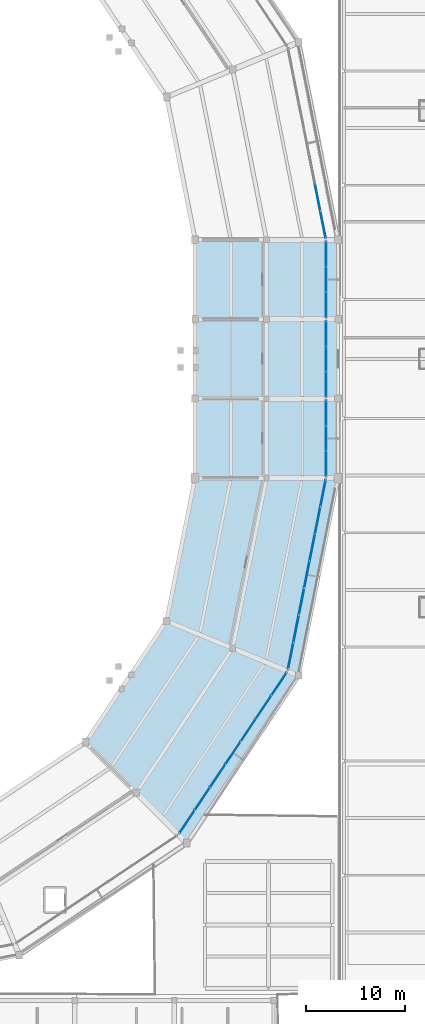
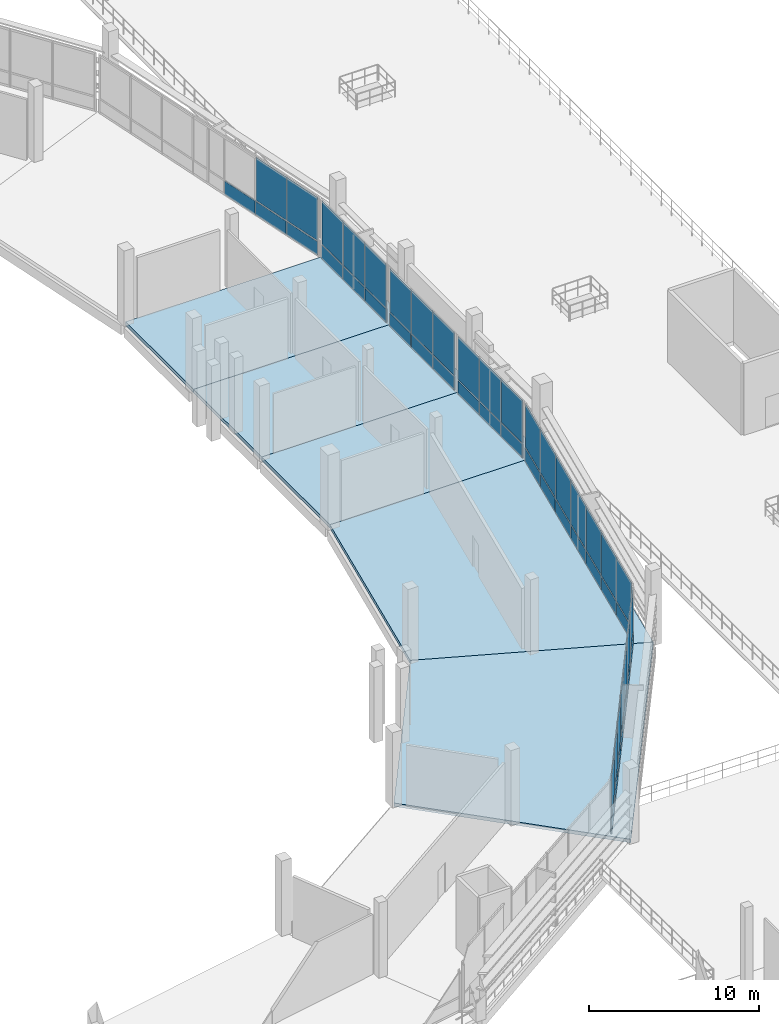
# One storey, part 64 of 111: 51 plates, 5 slabs, 6 elements without a shape of their own.
"""IFC4 building model written with IfcOpenShell, lengths in metres."""

from ifc_helpers import new_model, si_unit, direction, frame, origin, origin_2d, place, context, subcontext, project, spatial, polyline, rectangle, outline, extrude, material, layer, layer_set, type_object, element, aggregate, save


model = new_model("IFC4")

# Units and contexts
model_context = context("Model", 3, precision=1e-05, world=origin(), true_north=direction((0.0, 1.0)))
body_context = subcontext(model_context, "Body", "Model", "MODEL_VIEW")
ifc_project = project(units=[si_unit("LENGTHUNIT", "METRE"), si_unit("AREAUNIT", "SQUARE_METRE"), si_unit("VOLUMEUNIT", "CUBIC_METRE"), si_unit("PLANEANGLEUNIT", "RADIAN"), si_unit("MASSUNIT", "GRAM", prefix="KILO")], contexts=[model_context])

# Site, building, storey
site_placement = place(None, origin())
site = spatial("IfcSite", under=ifc_project, at=site_placement, CompositionType="ELEMENT")
building_placement = place(site_placement, origin())
building = spatial("IfcBuilding", under=site, at=building_placement, Name="Candeia Ridge Stadium", CompositionType="ELEMENT")
storey_placement = place(building_placement, frame((0.0, 0.0, 16.199951171875)))
storey = spatial("IfcBuildingStorey", under=building, at=storey_placement, Name="L03", CompositionType="ELEMENT", Elevation=16.199951171875)

# Slabs
ifc_material_1 = material(Name="Concrete C40/50", Category="concrete")
ifc_layer_1 = layer(ifc_material_1, 0.25, Name="Concrete C40/50", Category="concrete")
ifc_layer_set_1 = layer_set([ifc_layer_1], Name="Concrete C40/50")
slab_type = type_object("IfcSlabType", Name="Hospitality & Museum Slab 250", PredefinedType="FLOOR", material=ifc_layer_set_1)
slab_1_placement = place(storey_placement, frame((0.0, 0.0, -0.25)))
element("IfcSlab", 1, at=slab_1_placement, inside=storey, type_object=slab_type, Name="Bowl concourse sector slab L03 bay 28 SLB-L03-0136", PredefinedType="FLOOR", context=body_context, shape_type="SweptSolid", body=[
    extrude(outline(polyline([(175.73779296875, 56.611083984375), (189.041748046875, 51.1005859375), (177.791748046875, 34.263671875), (167.609375, 44.446044921875), (175.73779296875, 56.611083984375)])), origin(), (0.0, 0.0, 1.0), 0.25),
])
slab_2_placement = place(storey_placement, frame((0.0, 0.0, -0.25)))
element("IfcSlab", 2, at=slab_2_placement, inside=storey, type_object=slab_type, Name="Bowl concourse sector slab L03 bay 29 SLB-L03-0137", PredefinedType="FLOOR", context=body_context, shape_type="SweptSolid", body=[
    extrude(outline(polyline([(178.60009765625, 71.0), (193.0, 71.0), (189.041748046875, 51.1005859375), (175.73779296875, 56.611083984375), (178.60009765625, 71.0)])), origin(), (0.0, 0.0, 1.0), 0.25),
])
slab_3_placement = place(storey_placement, frame((0.0, 0.0, -0.25)))
element("IfcSlab", 3, at=slab_3_placement, inside=storey, type_object=slab_type, Name="Bowl concourse sector slab L03 bay 30 SLB-L03-0138", PredefinedType="FLOOR", context=body_context, shape_type="SweptSolid", body=[
    extrude(outline(polyline([(178.60009765625, 79.0), (193.0, 79.0), (193.0, 71.0), (178.60009765625, 71.0), (178.60009765625, 79.0)])), origin(), (0.0, 0.0, 1.0), 0.25),
])
slab_4_placement = place(storey_placement, frame((0.0, 0.0, -0.25)))
element("IfcSlab", 4, at=slab_4_placement, inside=storey, type_object=slab_type, Name="Bowl concourse sector slab L03 bay 31 SLB-L03-0139", PredefinedType="FLOOR", context=body_context, shape_type="SweptSolid", body=[
    extrude(outline(polyline([(178.60009765625, 87.0), (193.0, 87.0), (193.0, 79.0), (178.60009765625, 79.0), (178.60009765625, 87.0)])), origin(), (0.0, 0.0, 1.0), 0.25),
])
slab_5_placement = place(storey_placement, frame((0.0, 0.0, -0.25)))
element("IfcSlab", 5, at=slab_5_placement, inside=storey, type_object=slab_type, Name="Bowl concourse sector slab L03 bay 32 SLB-L03-0140", PredefinedType="FLOOR", context=body_context, shape_type="SweptSolid", body=[
    extrude(outline(polyline([(178.60009765625, 95.0), (193.0, 95.0), (193.0, 87.0), (178.60009765625, 87.0), (178.60009765625, 95.0)])), origin(), (0.0, 0.0, 1.0), 0.25),
])

# Curtain wall, plates
ifc_material_2 = material(Name="Aluminium Anodized Warm Bronze", Category="aluminium")
curtain_wall_type = type_object("IfcCurtainWallType", Name="Concourse Recessed Unitised Curtain Wall", PredefinedType="NOTDEFINED", material=ifc_material_2)
curtain_wall_1_placement = place(storey_placement, origin())
curtain_wall_1 = element("IfcCurtainWall", 6, at=curtain_wall_1_placement, inside=storey, type_object=curtain_wall_type, Name="Unitised curtain wall CW-BWL-L03-29", PredefinedType="NOTDEFINED")
ifc_material_3 = material(Name="Aluminium Insulated Spandrel", Category="aluminium")
ifc_layer_2 = layer(ifc_material_3, 0.06494140625, Name="Aluminium Insulated Spandrel", Category="aluminium")
ifc_layer_set_2 = layer_set([ifc_layer_2], Name="Aluminium Insulated Spandrel")
plate_type_1 = type_object("IfcPlateType", Name="Insulated Bronze Spandrel Panel SP1", PredefinedType="CURTAIN_PANEL", material=ifc_layer_set_2)
plate_1_placement = place(storey_placement, frame((191.800048828125, 72.453369140625, 0.0400390625), z_axis=(0.0, 0.0, 1.0), x_axis=(0.0, 1.0, 0.0)))
plate_1 = element("IfcPlate", 7, at=plate_1_placement, type_object=plate_type_1, Name="Curtain wall spandrel panel CW-BWL-L03-29-SP0", PredefinedType="CURTAIN_PANEL", context=body_context, shape_type="SweptSolid", body=[
    extrude(rectangle(XDim=2.476806640625, YDim=0.06494140625, at=origin_2d()), origin(), (0.0, 0.0, 1.0), 0.97119140625),
])
plate_2_placement = place(storey_placement, frame((191.800048828125, 75.0, 0.0400390625), z_axis=(0.0, 0.0, 1.0), x_axis=(0.0, 1.0, 0.0)))
plate_2 = element("IfcPlate", 8, at=plate_2_placement, type_object=plate_type_1, Name="Curtain wall spandrel panel CW-BWL-L03-29-SP1", PredefinedType="CURTAIN_PANEL", context=body_context, shape_type="SweptSolid", body=[
    extrude(rectangle(XDim=2.476806640625, YDim=0.06494140625, at=origin_2d()), origin(), (0.0, 0.0, 1.0), 0.97119140625),
])
plate_3_placement = place(storey_placement, frame((191.800048828125, 77.546630859375, 0.0400390625), z_axis=(0.0, 0.0, 1.0), x_axis=(0.0, 1.0, 0.0)))
plate_3 = element("IfcPlate", 9, at=plate_3_placement, type_object=plate_type_1, Name="Curtain wall spandrel panel CW-BWL-L03-29-SP2", PredefinedType="CURTAIN_PANEL", context=body_context, shape_type="SweptSolid", body=[
    extrude(rectangle(XDim=2.476806640625, YDim=0.06494140625, at=origin_2d()), origin(), (0.0, 0.0, 1.0), 0.97119140625),
])

curtain_wall_2_placement = place(storey_placement, origin())
curtain_wall_2 = element("IfcCurtainWall", 10, at=curtain_wall_2_placement, inside=storey, type_object=curtain_wall_type, Name="Unitised curtain wall CW-BWL-L03-30", PredefinedType="NOTDEFINED")
ifc_layer_3 = layer(ifc_material_3, 0.06494140625, Name="Aluminium Insulated Spandrel", Category="aluminium")
ifc_layer_set_3 = layer_set([ifc_layer_3], Name="Aluminium Insulated Spandrel")
plate_type_2 = type_object("IfcPlateType", Name="Insulated Bronze Spandrel Panel SP2", PredefinedType="CURTAIN_PANEL", material=ifc_layer_set_3)
plate_4_placement = place(storey_placement, frame((191.800048828125, 80.453369140625, 0.0400390625), z_axis=(0.0, 0.0, 1.0), x_axis=(0.0, 1.0, 0.0)))
plate_4 = element("IfcPlate", 11, at=plate_4_placement, type_object=plate_type_2, Name="Curtain wall spandrel panel CW-BWL-L03-30-SP0", PredefinedType="CURTAIN_PANEL", context=body_context, shape_type="SweptSolid", body=[
    extrude(rectangle(XDim=2.476806640625, YDim=0.06494140625, at=origin_2d()), origin(), (0.0, 0.0, 1.0), 0.97119140625),
])
plate_5_placement = place(storey_placement, frame((191.800048828125, 83.0, 0.0400390625), z_axis=(0.0, 0.0, 1.0), x_axis=(0.0, 1.0, 0.0)))
plate_5 = element("IfcPlate", 12, at=plate_5_placement, type_object=plate_type_2, Name="Curtain wall spandrel panel CW-BWL-L03-30-SP1", PredefinedType="CURTAIN_PANEL", context=body_context, shape_type="SweptSolid", body=[
    extrude(rectangle(XDim=2.476806640625, YDim=0.06494140625, at=origin_2d()), origin(), (0.0, 0.0, 1.0), 0.97119140625),
])
plate_6_placement = place(storey_placement, frame((191.800048828125, 85.546630859375, 0.0400390625), z_axis=(0.0, 0.0, 1.0), x_axis=(0.0, 1.0, 0.0)))
plate_6 = element("IfcPlate", 13, at=plate_6_placement, type_object=plate_type_2, Name="Curtain wall spandrel panel CW-BWL-L03-30-SP2", PredefinedType="CURTAIN_PANEL", context=body_context, shape_type="SweptSolid", body=[
    extrude(rectangle(XDim=2.476806640625, YDim=0.06494140625, at=origin_2d()), origin(), (0.0, 0.0, 1.0), 0.97119140625),
])

curtain_wall_3_placement = place(storey_placement, origin())
curtain_wall_3 = element("IfcCurtainWall", 14, at=curtain_wall_3_placement, inside=storey, type_object=curtain_wall_type, Name="Unitised curtain wall CW-BWL-L03-27", PredefinedType="NOTDEFINED")
ifc_layer_4 = layer(ifc_material_3, 0.06494140625, Name="Aluminium Insulated Spandrel", Category="aluminium")
ifc_layer_set_4 = layer_set([ifc_layer_4], Name="Aluminium Insulated Spandrel")
plate_type_3 = type_object("IfcPlateType", Name="Insulated Bronze Spandrel Panel SP4", PredefinedType="CURTAIN_PANEL", material=ifc_layer_set_4)
plate_7_placement = place(storey_placement, frame((177.793212890625, 36.384521484375, 0.0400390625), z_axis=(0.0, 0.0, 1.0), x_axis=(0.555571447533, 0.831468800789, 0.0)))
plate_7 = element("IfcPlate", 15, at=plate_7_placement, type_object=plate_type_3, Name="Curtain wall spandrel panel CW-BWL-L03-27-SP0", PredefinedType="CURTAIN_PANEL", context=body_context, shape_type="SweptSolid", body=[
    extrude(rectangle(XDim=2.710205078125, YDim=0.06494140625, at=origin_2d()), origin(), (0.0, 0.0, 1.0), 0.97119140625),
])
plate_8_placement = place(storey_placement, frame((179.337890625, 38.696044921875, 0.0400390625), z_axis=(0.0, 0.0, 1.0), x_axis=(0.555571447533, 0.831468800789, 0.0)))
plate_8 = element("IfcPlate", 16, at=plate_8_placement, type_object=plate_type_3, Name="Curtain wall spandrel panel CW-BWL-L03-27-SP1", PredefinedType="CURTAIN_PANEL", context=body_context, shape_type="SweptSolid", body=[
    extrude(rectangle(XDim=2.710205078125, YDim=0.06494140625, at=origin_2d()), origin(), (0.0, 0.0, 1.0), 0.97119140625),
])
plate_9_placement = place(storey_placement, frame((180.882568359375, 41.0078125, 0.0400390625), z_axis=(0.0, 0.0, 1.0), x_axis=(0.555571447533, 0.831468800789, 0.0)))
plate_9 = element("IfcPlate", 17, at=plate_9_placement, type_object=plate_type_3, Name="Curtain wall spandrel panel CW-BWL-L03-27-SP2", PredefinedType="CURTAIN_PANEL", context=body_context, shape_type="SweptSolid", body=[
    extrude(rectangle(XDim=2.710205078125, YDim=0.06494140625, at=origin_2d()), origin(), (0.0, 0.0, 1.0), 0.97119140625),
])
plate_10_placement = place(storey_placement, frame((182.427001953125, 43.3193359375, 0.0400390625), z_axis=(0.0, 0.0, 1.0), x_axis=(0.555571447533, 0.831468800789, 0.0)))
plate_10 = element("IfcPlate", 18, at=plate_10_placement, type_object=plate_type_3, Name="Curtain wall spandrel panel CW-BWL-L03-27-SP3", PredefinedType="CURTAIN_PANEL", context=body_context, shape_type="SweptSolid", body=[
    extrude(rectangle(XDim=2.710205078125, YDim=0.06494140625, at=origin_2d()), origin(), (0.0, 0.0, 1.0), 0.97119140625),
])
plate_11_placement = place(storey_placement, frame((183.9716796875, 45.630859375, 0.0400390625), z_axis=(0.0, 0.0, 1.0), x_axis=(0.555571447533, 0.831468800789, 0.0)))
plate_11 = element("IfcPlate", 19, at=plate_11_placement, type_object=plate_type_3, Name="Curtain wall spandrel panel CW-BWL-L03-27-SP4", PredefinedType="CURTAIN_PANEL", context=body_context, shape_type="SweptSolid", body=[
    extrude(rectangle(XDim=2.710205078125, YDim=0.06494140625, at=origin_2d()), origin(), (0.0, 0.0, 1.0), 0.97119140625),
])
plate_12_placement = place(storey_placement, frame((185.51611328125, 47.942626953125, 0.0400390625), z_axis=(0.0, 0.0, 1.0), x_axis=(0.555571447533, 0.831468800789, 0.0)))
plate_12 = element("IfcPlate", 20, at=plate_12_placement, type_object=plate_type_3, Name="Curtain wall spandrel panel CW-BWL-L03-27-SP5", PredefinedType="CURTAIN_PANEL", context=body_context, shape_type="SweptSolid", body=[
    extrude(rectangle(XDim=2.710205078125, YDim=0.06494140625, at=origin_2d()), origin(), (0.0, 0.0, 1.0), 0.97119140625),
])
plate_13_placement = place(storey_placement, frame((187.060791015625, 50.254150390625, 0.0400390625), z_axis=(0.0, 0.0, 1.0), x_axis=(0.555571447533, 0.831468800789, 0.0)))
plate_13 = element("IfcPlate", 21, at=plate_13_placement, type_object=plate_type_3, Name="Curtain wall spandrel panel CW-BWL-L03-27-SP6", PredefinedType="CURTAIN_PANEL", context=body_context, shape_type="SweptSolid", body=[
    extrude(rectangle(XDim=2.710205078125, YDim=0.06494140625, at=origin_2d()), origin(), (0.0, 0.0, 1.0), 0.97119140625),
])

curtain_wall_4_placement = place(storey_placement, origin())
curtain_wall_4 = element("IfcCurtainWall", 22, at=curtain_wall_4_placement, inside=storey, type_object=curtain_wall_type, Name="Unitised curtain wall CW-BWL-L03-31", PredefinedType="NOTDEFINED")
plate_14_placement = place(storey_placement, frame((191.800048828125, 88.453369140625, 0.0400390625), z_axis=(0.0, 0.0, 1.0), x_axis=(0.0, 1.0, 0.0)))
plate_14 = element("IfcPlate", 23, at=plate_14_placement, type_object=plate_type_3, Name="Curtain wall spandrel panel CW-BWL-L03-31-SP0", PredefinedType="CURTAIN_PANEL", context=body_context, shape_type="SweptSolid", body=[
    extrude(rectangle(XDim=2.476806640625, YDim=0.06494140625, at=origin_2d()), origin(), (0.0, 0.0, 1.0), 0.981201171875),
])
plate_15_placement = place(storey_placement, frame((191.800048828125, 91.0, 0.0400390625), z_axis=(0.0, 0.0, 1.0), x_axis=(0.0, 1.0, 0.0)))
plate_15 = element("IfcPlate", 24, at=plate_15_placement, type_object=plate_type_3, Name="Curtain wall spandrel panel CW-BWL-L03-31-SP1", PredefinedType="CURTAIN_PANEL", context=body_context, shape_type="SweptSolid", body=[
    extrude(rectangle(XDim=2.476806640625, YDim=0.06494140625, at=origin_2d()), origin(), (0.0, 0.0, 1.0), 0.981201171875),
])
plate_16_placement = place(storey_placement, frame((191.800048828125, 93.546630859375, 0.0400390625), z_axis=(0.0, 0.0, 1.0), x_axis=(0.0, 1.0, 0.0)))
plate_16 = element("IfcPlate", 25, at=plate_16_placement, type_object=plate_type_3, Name="Curtain wall spandrel panel CW-BWL-L03-31-SP2", PredefinedType="CURTAIN_PANEL", context=body_context, shape_type="SweptSolid", body=[
    extrude(rectangle(XDim=2.476806640625, YDim=0.06494140625, at=origin_2d()), origin(), (0.0, 0.0, 1.0), 0.981201171875),
])

curtain_wall_5_placement = place(storey_placement, origin())
curtain_wall_5 = element("IfcCurtainWall", 26, at=curtain_wall_5_placement, inside=storey, type_object=curtain_wall_type, Name="Unitised curtain wall CW-BWL-L03-28", PredefinedType="NOTDEFINED")
ifc_layer_5 = layer(ifc_material_3, 0.06494140625, Name="Aluminium Insulated Spandrel", Category="aluminium")
ifc_layer_set_5 = layer_set([ifc_layer_5], Name="Aluminium Insulated Spandrel")
plate_type_4 = type_object("IfcPlateType", Name="Insulated Bronze Spandrel Panel SP5", PredefinedType="CURTAIN_PANEL", material=ifc_layer_set_5)
plate_17_placement = place(storey_placement, frame((188.239501953125, 53.099609375, 0.0400390625), z_axis=(0.0, 0.0, 1.0), x_axis=(0.195090320544, 0.980785280696, 0.0)))
plate_17 = element("IfcPlate", 27, at=plate_17_placement, type_object=plate_type_4, Name="Curtain wall spandrel panel CW-BWL-L03-28-SP0", PredefinedType="CURTAIN_PANEL", context=body_context, shape_type="SweptSolid", body=[
    extrude(rectangle(XDim=2.710205078125, YDim=0.06494140625, at=origin_2d()), origin(), (0.0, 0.0, 1.0), 0.981201171875),
])
plate_18_placement = place(storey_placement, frame((188.78173828125, 55.826416015625, 0.0400390625), z_axis=(0.0, 0.0, 1.0), x_axis=(0.195090320544, 0.980785280696, 0.0)))
plate_18 = element("IfcPlate", 28, at=plate_18_placement, type_object=plate_type_4, Name="Curtain wall spandrel panel CW-BWL-L03-28-SP1", PredefinedType="CURTAIN_PANEL", context=body_context, shape_type="SweptSolid", body=[
    extrude(rectangle(XDim=2.710205078125, YDim=0.06494140625, at=origin_2d()), origin(), (0.0, 0.0, 1.0), 0.981201171875),
])
plate_19_placement = place(storey_placement, frame((189.32421875, 58.552978515625, 0.0400390625), z_axis=(0.0, 0.0, 1.0), x_axis=(0.195090320544, 0.980785280696, 0.0)))
plate_19 = element("IfcPlate", 29, at=plate_19_placement, type_object=plate_type_4, Name="Curtain wall spandrel panel CW-BWL-L03-28-SP2", PredefinedType="CURTAIN_PANEL", context=body_context, shape_type="SweptSolid", body=[
    extrude(rectangle(XDim=2.710205078125, YDim=0.06494140625, at=origin_2d()), origin(), (0.0, 0.0, 1.0), 0.981201171875),
])
plate_20_placement = place(storey_placement, frame((189.86669921875, 61.27978515625, 0.0400390625), z_axis=(0.0, 0.0, 1.0), x_axis=(0.195090320544, 0.980785280696, 0.0)))
plate_20 = element("IfcPlate", 30, at=plate_20_placement, type_object=plate_type_4, Name="Curtain wall spandrel panel CW-BWL-L03-28-SP3", PredefinedType="CURTAIN_PANEL", context=body_context, shape_type="SweptSolid", body=[
    extrude(rectangle(XDim=2.710205078125, YDim=0.06494140625, at=origin_2d()), origin(), (0.0, 0.0, 1.0), 0.981201171875),
])
plate_21_placement = place(storey_placement, frame((190.408935546875, 64.006591796875, 0.0400390625), z_axis=(0.0, 0.0, 1.0), x_axis=(0.195090320544, 0.980785280696, 0.0)))
plate_21 = element("IfcPlate", 31, at=plate_21_placement, type_object=plate_type_4, Name="Curtain wall spandrel panel CW-BWL-L03-28-SP4", PredefinedType="CURTAIN_PANEL", context=body_context, shape_type="SweptSolid", body=[
    extrude(rectangle(XDim=2.710205078125, YDim=0.06494140625, at=origin_2d()), origin(), (0.0, 0.0, 1.0), 0.981201171875),
])
plate_22_placement = place(storey_placement, frame((190.951416015625, 66.7333984375, 0.0400390625), z_axis=(0.0, 0.0, 1.0), x_axis=(0.195090320544, 0.980785280696, 0.0)))
plate_22 = element("IfcPlate", 32, at=plate_22_placement, type_object=plate_type_4, Name="Curtain wall spandrel panel CW-BWL-L03-28-SP5", PredefinedType="CURTAIN_PANEL", context=body_context, shape_type="SweptSolid", body=[
    extrude(rectangle(XDim=2.710205078125, YDim=0.06494140625, at=origin_2d()), origin(), (0.0, 0.0, 1.0), 0.981201171875),
])
plate_23_placement = place(storey_placement, frame((191.49365234375, 69.460205078125, 0.0400390625), z_axis=(0.0, 0.0, 1.0), x_axis=(0.195090320544, 0.980785280696, 0.0)))
plate_23 = element("IfcPlate", 33, at=plate_23_placement, type_object=plate_type_4, Name="Curtain wall spandrel panel CW-BWL-L03-28-SP6", PredefinedType="CURTAIN_PANEL", context=body_context, shape_type="SweptSolid", body=[
    extrude(rectangle(XDim=2.710205078125, YDim=0.06494140625, at=origin_2d()), origin(), (0.0, 0.0, 1.0), 0.981201171875),
])

curtain_wall_6_placement = place(storey_placement, origin())
curtain_wall_6 = element("IfcCurtainWall", 34, at=curtain_wall_6_placement, inside=storey, type_object=curtain_wall_type, Name="Unitised curtain wall CW-BWL-L03-32", PredefinedType="NOTDEFINED")
plate_24_placement = place(storey_placement, frame((191.49365234375, 96.539794921875, 0.0400390625), z_axis=(0.0, 0.0, 1.0), x_axis=(-0.195090320544, 0.980785280696, 0.0)))
plate_24 = element("IfcPlate", 35, at=plate_24_placement, type_object=plate_type_4, Name="Curtain wall spandrel panel CW-BWL-L03-32-SP0", PredefinedType="CURTAIN_PANEL", context=body_context, shape_type="SweptSolid", body=[
    extrude(rectangle(XDim=2.710205078125, YDim=0.06494140625, at=origin_2d()), origin(), (0.0, 0.0, 1.0), 0.97119140625),
])
plate_25_placement = place(storey_placement, frame((190.951416015625, 99.2666015625, 0.0400390625), z_axis=(0.0, 0.0, 1.0), x_axis=(-0.195090320544, 0.980785280696, 0.0)))
plate_25 = element("IfcPlate", 36, at=plate_25_placement, type_object=plate_type_4, Name="Curtain wall spandrel panel CW-BWL-L03-32-SP1", PredefinedType="CURTAIN_PANEL", context=body_context, shape_type="SweptSolid", body=[
    extrude(rectangle(XDim=2.710205078125, YDim=0.06494140625, at=origin_2d()), origin(), (0.0, 0.0, 1.0), 0.97119140625),
])
plate_26_placement = place(storey_placement, frame((190.408935546875, 101.993408203125, 0.0400390625), z_axis=(0.0, 0.0, 1.0), x_axis=(-0.195090320544, 0.980785280696, 0.0)))
plate_26 = element("IfcPlate", 37, at=plate_26_placement, type_object=plate_type_4, Name="Curtain wall spandrel panel CW-BWL-L03-32-SP2", PredefinedType="CURTAIN_PANEL", context=body_context, shape_type="SweptSolid", body=[
    extrude(rectangle(XDim=2.710205078125, YDim=0.06494140625, at=origin_2d()), origin(), (0.0, 0.0, 1.0), 0.97119140625),
])

# Plate
ifc_material_4 = material(Name="Tempered Low-E Double Glazing", Category="glass")
ifc_layer_6 = layer(ifc_material_4, 0.035888671875, Name="Tempered Low-E Double Glazing", Category="glass")
ifc_layer_set_6 = layer_set([ifc_layer_6], Name="Tempered Low-E Double Glazing")
plate_type_5 = type_object("IfcPlateType", Name="Solar Control Vision Glass Panel GP1", PredefinedType="CURTAIN_PANEL", material=ifc_layer_set_6)
plate_27_placement = place(storey_placement, frame((177.793212890625, 36.384521484375, 1.09130859375), z_axis=(0.0, 0.0, 1.0), x_axis=(0.555571447533, 0.831468800789, 0.0)))
plate_27 = element("IfcPlate", 38, at=plate_27_placement, type_object=plate_type_5, Name="Curtain wall vision glass panel CW-BWL-L03-27-GP0", PredefinedType="CURTAIN_PANEL", context=body_context, shape_type="SweptSolid", body=[
    extrude(rectangle(XDim=2.710205078125, YDim=0.035888671875, at=origin_2d()), origin(), (0.0, 0.0, 1.0), 3.07373046875),
])

plate_28_placement = place(storey_placement, frame((179.337890625, 38.696044921875, 1.09130859375), z_axis=(0.0, 0.0, 1.0), x_axis=(0.555571447533, 0.831468800789, 0.0)))
plate_28 = element("IfcPlate", 39, at=plate_28_placement, type_object=plate_type_5, Name="Curtain wall vision glass panel CW-BWL-L03-27-GP1", PredefinedType="CURTAIN_PANEL", context=body_context, shape_type="SweptSolid", body=[
    extrude(rectangle(XDim=2.710205078125, YDim=0.035888671875, at=origin_2d()), origin(), (0.0, 0.0, 1.0), 3.07373046875),
])

plate_29_placement = place(storey_placement, frame((180.882568359375, 41.0078125, 1.09130859375), z_axis=(0.0, 0.0, 1.0), x_axis=(0.555571447533, 0.831468800789, 0.0)))
plate_29 = element("IfcPlate", 40, at=plate_29_placement, type_object=plate_type_5, Name="Curtain wall vision glass panel CW-BWL-L03-27-GP2", PredefinedType="CURTAIN_PANEL", context=body_context, shape_type="SweptSolid", body=[
    extrude(rectangle(XDim=2.710205078125, YDim=0.035888671875, at=origin_2d()), origin(), (0.0, 0.0, 1.0), 3.07373046875),
])

plate_30_placement = place(storey_placement, frame((182.427001953125, 43.3193359375, 1.09130859375), z_axis=(0.0, 0.0, 1.0), x_axis=(0.555571447533, 0.831468800789, 0.0)))
plate_30 = element("IfcPlate", 41, at=plate_30_placement, type_object=plate_type_5, Name="Curtain wall vision glass panel CW-BWL-L03-27-GP3", PredefinedType="CURTAIN_PANEL", context=body_context, shape_type="SweptSolid", body=[
    extrude(rectangle(XDim=2.710205078125, YDim=0.035888671875, at=origin_2d()), origin(), (0.0, 0.0, 1.0), 3.07373046875),
])

plate_31_placement = place(storey_placement, frame((183.9716796875, 45.630859375, 1.09130859375), z_axis=(0.0, 0.0, 1.0), x_axis=(0.555571447533, 0.831468800789, 0.0)))
plate_31 = element("IfcPlate", 42, at=plate_31_placement, type_object=plate_type_5, Name="Curtain wall vision glass panel CW-BWL-L03-27-GP4", PredefinedType="CURTAIN_PANEL", context=body_context, shape_type="SweptSolid", body=[
    extrude(rectangle(XDim=2.710205078125, YDim=0.035888671875, at=origin_2d()), origin(), (0.0, 0.0, 1.0), 3.07373046875),
])

plate_32_placement = place(storey_placement, frame((185.51611328125, 47.942626953125, 1.09130859375), z_axis=(0.0, 0.0, 1.0), x_axis=(0.555571447533, 0.831468800789, 0.0)))
plate_32 = element("IfcPlate", 43, at=plate_32_placement, type_object=plate_type_5, Name="Curtain wall vision glass panel CW-BWL-L03-27-GP5", PredefinedType="CURTAIN_PANEL", context=body_context, shape_type="SweptSolid", body=[
    extrude(rectangle(XDim=2.710205078125, YDim=0.035888671875, at=origin_2d()), origin(), (0.0, 0.0, 1.0), 3.07373046875),
])

plate_33_placement = place(storey_placement, frame((187.060791015625, 50.254150390625, 1.09130859375), z_axis=(0.0, 0.0, 1.0), x_axis=(0.555571447533, 0.831468800789, 0.0)))
plate_33 = element("IfcPlate", 44, at=plate_33_placement, type_object=plate_type_5, Name="Curtain wall vision glass panel CW-BWL-L03-27-GP6", PredefinedType="CURTAIN_PANEL", context=body_context, shape_type="SweptSolid", body=[
    extrude(rectangle(XDim=2.710205078125, YDim=0.035888671875, at=origin_2d()), origin(), (0.0, 0.0, 1.0), 3.07373046875),
])

aggregate(curtain_wall_3, [plate_7, plate_27, plate_8, plate_28, plate_9, plate_29, plate_10, plate_30, plate_11, plate_31, plate_12, plate_32, plate_13, plate_33])

ifc_layer_7 = layer(ifc_material_4, 0.035888671875, Name="Tempered Low-E Double Glazing", Category="glass")
ifc_layer_set_7 = layer_set([ifc_layer_7], Name="Tempered Low-E Double Glazing")
plate_type_6 = type_object("IfcPlateType", Name="Solar Control Vision Glass Panel GP2", PredefinedType="CURTAIN_PANEL", material=ifc_layer_set_7)
plate_34_placement = place(storey_placement, frame((188.239501953125, 53.099609375, 1.10107421875), z_axis=(0.0, 0.0, 1.0), x_axis=(0.195090320544, 0.980785280696, 0.0)))
plate_34 = element("IfcPlate", 45, at=plate_34_placement, type_object=plate_type_6, Name="Curtain wall vision glass panel CW-BWL-L03-28-GP0", PredefinedType="CURTAIN_PANEL", context=body_context, shape_type="SweptSolid", body=[
    extrude(rectangle(XDim=2.710205078125, YDim=0.035888671875, at=origin_2d()), origin(), (0.0, 0.0, 1.0), 3.103759765625),
])

plate_35_placement = place(storey_placement, frame((188.78173828125, 55.826416015625, 1.10107421875), z_axis=(0.0, 0.0, 1.0), x_axis=(0.195090320544, 0.980785280696, 0.0)))
plate_35 = element("IfcPlate", 46, at=plate_35_placement, type_object=plate_type_6, Name="Curtain wall vision glass panel CW-BWL-L03-28-GP1", PredefinedType="CURTAIN_PANEL", context=body_context, shape_type="SweptSolid", body=[
    extrude(rectangle(XDim=2.710205078125, YDim=0.035888671875, at=origin_2d()), origin(), (0.0, 0.0, 1.0), 3.103759765625),
])

plate_36_placement = place(storey_placement, frame((189.32421875, 58.552978515625, 1.10107421875), z_axis=(0.0, 0.0, 1.0), x_axis=(0.195090320544, 0.980785280696, 0.0)))
plate_36 = element("IfcPlate", 47, at=plate_36_placement, type_object=plate_type_6, Name="Curtain wall vision glass panel CW-BWL-L03-28-GP2", PredefinedType="CURTAIN_PANEL", context=body_context, shape_type="SweptSolid", body=[
    extrude(rectangle(XDim=2.710205078125, YDim=0.035888671875, at=origin_2d()), origin(), (0.0, 0.0, 1.0), 3.103759765625),
])

plate_37_placement = place(storey_placement, frame((189.86669921875, 61.27978515625, 1.10107421875), z_axis=(0.0, 0.0, 1.0), x_axis=(0.195090320544, 0.980785280696, 0.0)))
plate_37 = element("IfcPlate", 48, at=plate_37_placement, type_object=plate_type_6, Name="Curtain wall vision glass panel CW-BWL-L03-28-GP3", PredefinedType="CURTAIN_PANEL", context=body_context, shape_type="SweptSolid", body=[
    extrude(rectangle(XDim=2.710205078125, YDim=0.035888671875, at=origin_2d()), origin(), (0.0, 0.0, 1.0), 3.103759765625),
])

plate_38_placement = place(storey_placement, frame((190.408935546875, 64.006591796875, 1.10107421875), z_axis=(0.0, 0.0, 1.0), x_axis=(0.195090320544, 0.980785280696, 0.0)))
plate_38 = element("IfcPlate", 49, at=plate_38_placement, type_object=plate_type_6, Name="Curtain wall vision glass panel CW-BWL-L03-28-GP4", PredefinedType="CURTAIN_PANEL", context=body_context, shape_type="SweptSolid", body=[
    extrude(rectangle(XDim=2.710205078125, YDim=0.035888671875, at=origin_2d()), origin(), (0.0, 0.0, 1.0), 3.103759765625),
])

plate_39_placement = place(storey_placement, frame((190.951416015625, 66.7333984375, 1.10107421875), z_axis=(0.0, 0.0, 1.0), x_axis=(0.195090320544, 0.980785280696, 0.0)))
plate_39 = element("IfcPlate", 50, at=plate_39_placement, type_object=plate_type_6, Name="Curtain wall vision glass panel CW-BWL-L03-28-GP5", PredefinedType="CURTAIN_PANEL", context=body_context, shape_type="SweptSolid", body=[
    extrude(rectangle(XDim=2.710205078125, YDim=0.035888671875, at=origin_2d()), origin(), (0.0, 0.0, 1.0), 3.103759765625),
])

plate_40_placement = place(storey_placement, frame((191.49365234375, 69.460205078125, 1.10107421875), z_axis=(0.0, 0.0, 1.0), x_axis=(0.195090320544, 0.980785280696, 0.0)))
plate_40 = element("IfcPlate", 51, at=plate_40_placement, type_object=plate_type_6, Name="Curtain wall vision glass panel CW-BWL-L03-28-GP6", PredefinedType="CURTAIN_PANEL", context=body_context, shape_type="SweptSolid", body=[
    extrude(rectangle(XDim=2.710205078125, YDim=0.035888671875, at=origin_2d()), origin(), (0.0, 0.0, 1.0), 3.103759765625),
])

aggregate(curtain_wall_5, [plate_17, plate_34, plate_18, plate_35, plate_19, plate_36, plate_20, plate_37, plate_21, plate_38, plate_22, plate_39, plate_23, plate_40])

ifc_layer_8 = layer(ifc_material_4, 0.035888671875, Name="Tempered Low-E Double Glazing", Category="glass")
ifc_layer_set_8 = layer_set([ifc_layer_8], Name="Tempered Low-E Double Glazing")
plate_type_7 = type_object("IfcPlateType", Name="Solar Control Vision Glass Panel GP5", PredefinedType="CURTAIN_PANEL", material=ifc_layer_set_8)
plate_41_placement = place(storey_placement, frame((191.800048828125, 72.453369140625, 1.09130859375), z_axis=(0.0, 0.0, 1.0), x_axis=(0.0, 1.0, 0.0)))
plate_41 = element("IfcPlate", 52, at=plate_41_placement, type_object=plate_type_7, Name="Curtain wall vision glass panel CW-BWL-L03-29-GP0", PredefinedType="CURTAIN_PANEL", context=body_context, shape_type="SweptSolid", body=[
    extrude(rectangle(XDim=2.476806640625, YDim=0.035888671875, at=origin_2d()), origin(), (0.0, 0.0, 1.0), 3.07373046875),
])

plate_42_placement = place(storey_placement, frame((191.800048828125, 75.0, 1.09130859375), z_axis=(0.0, 0.0, 1.0), x_axis=(0.0, 1.0, 0.0)))
plate_42 = element("IfcPlate", 53, at=plate_42_placement, type_object=plate_type_7, Name="Curtain wall vision glass panel CW-BWL-L03-29-GP1", PredefinedType="CURTAIN_PANEL", context=body_context, shape_type="SweptSolid", body=[
    extrude(rectangle(XDim=2.476806640625, YDim=0.035888671875, at=origin_2d()), origin(), (0.0, 0.0, 1.0), 3.07373046875),
])

plate_43_placement = place(storey_placement, frame((191.800048828125, 77.546630859375, 1.09130859375), z_axis=(0.0, 0.0, 1.0), x_axis=(0.0, 1.0, 0.0)))
plate_43 = element("IfcPlate", 54, at=plate_43_placement, type_object=plate_type_7, Name="Curtain wall vision glass panel CW-BWL-L03-29-GP2", PredefinedType="CURTAIN_PANEL", context=body_context, shape_type="SweptSolid", body=[
    extrude(rectangle(XDim=2.476806640625, YDim=0.035888671875, at=origin_2d()), origin(), (0.0, 0.0, 1.0), 3.07373046875),
])

aggregate(curtain_wall_1, [plate_1, plate_41, plate_2, plate_42, plate_3, plate_43])

ifc_layer_9 = layer(ifc_material_4, 0.035888671875, Name="Tempered Low-E Double Glazing", Category="glass")
ifc_layer_set_9 = layer_set([ifc_layer_9], Name="Tempered Low-E Double Glazing")
plate_type_8 = type_object("IfcPlateType", Name="Solar Control Vision Glass Panel GP6", PredefinedType="CURTAIN_PANEL", material=ifc_layer_set_9)
plate_44_placement = place(storey_placement, frame((191.800048828125, 80.453369140625, 1.09130859375), z_axis=(0.0, 0.0, 1.0), x_axis=(0.0, 1.0, 0.0)))
plate_44 = element("IfcPlate", 55, at=plate_44_placement, type_object=plate_type_8, Name="Curtain wall vision glass panel CW-BWL-L03-30-GP0", PredefinedType="CURTAIN_PANEL", context=body_context, shape_type="SweptSolid", body=[
    extrude(rectangle(XDim=2.476806640625, YDim=0.035888671875, at=origin_2d()), origin(), (0.0, 0.0, 1.0), 3.07373046875),
])

plate_45_placement = place(storey_placement, frame((191.800048828125, 83.0, 1.09130859375), z_axis=(0.0, 0.0, 1.0), x_axis=(0.0, 1.0, 0.0)))
plate_45 = element("IfcPlate", 56, at=plate_45_placement, type_object=plate_type_8, Name="Curtain wall vision glass panel CW-BWL-L03-30-GP1", PredefinedType="CURTAIN_PANEL", context=body_context, shape_type="SweptSolid", body=[
    extrude(rectangle(XDim=2.476806640625, YDim=0.035888671875, at=origin_2d()), origin(), (0.0, 0.0, 1.0), 3.07373046875),
])

plate_46_placement = place(storey_placement, frame((191.800048828125, 85.546630859375, 1.09130859375), z_axis=(0.0, 0.0, 1.0), x_axis=(0.0, 1.0, 0.0)))
plate_46 = element("IfcPlate", 57, at=plate_46_placement, type_object=plate_type_8, Name="Curtain wall vision glass panel CW-BWL-L03-30-GP2", PredefinedType="CURTAIN_PANEL", context=body_context, shape_type="SweptSolid", body=[
    extrude(rectangle(XDim=2.476806640625, YDim=0.035888671875, at=origin_2d()), origin(), (0.0, 0.0, 1.0), 3.07373046875),
])

aggregate(curtain_wall_2, [plate_4, plate_44, plate_5, plate_45, plate_6, plate_46])

ifc_layer_10 = layer(ifc_material_4, 0.035888671875, Name="Tempered Low-E Double Glazing", Category="glass")
ifc_layer_set_10 = layer_set([ifc_layer_10], Name="Tempered Low-E Double Glazing")
plate_type_9 = type_object("IfcPlateType", Name="Solar Control Vision Glass Panel GP7", PredefinedType="CURTAIN_PANEL", material=ifc_layer_set_10)
plate_47_placement = place(storey_placement, frame((191.800048828125, 88.453369140625, 1.10107421875), z_axis=(0.0, 0.0, 1.0), x_axis=(0.0, 1.0, 0.0)))
plate_47 = element("IfcPlate", 58, at=plate_47_placement, type_object=plate_type_9, Name="Curtain wall vision glass panel CW-BWL-L03-31-GP0", PredefinedType="CURTAIN_PANEL", context=body_context, shape_type="SweptSolid", body=[
    extrude(rectangle(XDim=2.476806640625, YDim=0.035888671875, at=origin_2d()), origin(), (0.0, 0.0, 1.0), 3.103759765625),
])

plate_48_placement = place(storey_placement, frame((191.800048828125, 91.0, 1.10107421875), z_axis=(0.0, 0.0, 1.0), x_axis=(0.0, 1.0, 0.0)))
plate_48 = element("IfcPlate", 59, at=plate_48_placement, type_object=plate_type_9, Name="Curtain wall vision glass panel CW-BWL-L03-31-GP1", PredefinedType="CURTAIN_PANEL", context=body_context, shape_type="SweptSolid", body=[
    extrude(rectangle(XDim=2.476806640625, YDim=0.035888671875, at=origin_2d()), origin(), (0.0, 0.0, 1.0), 3.103759765625),
])

plate_49_placement = place(storey_placement, frame((191.800048828125, 93.546630859375, 1.10107421875), z_axis=(0.0, 0.0, 1.0), x_axis=(0.0, 1.0, 0.0)))
plate_49 = element("IfcPlate", 60, at=plate_49_placement, type_object=plate_type_9, Name="Curtain wall vision glass panel CW-BWL-L03-31-GP2", PredefinedType="CURTAIN_PANEL", context=body_context, shape_type="SweptSolid", body=[
    extrude(rectangle(XDim=2.476806640625, YDim=0.035888671875, at=origin_2d()), origin(), (0.0, 0.0, 1.0), 3.103759765625),
])

aggregate(curtain_wall_4, [plate_14, plate_47, plate_15, plate_48, plate_16, plate_49])

ifc_layer_11 = layer(ifc_material_4, 0.035888671875, Name="Tempered Low-E Double Glazing", Category="glass")
ifc_layer_set_11 = layer_set([ifc_layer_11], Name="Tempered Low-E Double Glazing")
plate_type_10 = type_object("IfcPlateType", Name="Solar Control Vision Glass Panel GP8", PredefinedType="CURTAIN_PANEL", material=ifc_layer_set_11)
plate_50_placement = place(storey_placement, frame((191.49365234375, 96.539794921875, 1.09130859375), z_axis=(0.0, 0.0, 1.0), x_axis=(-0.195090320544, 0.980785280696, 0.0)))
plate_50 = element("IfcPlate", 61, at=plate_50_placement, type_object=plate_type_10, Name="Curtain wall vision glass panel CW-BWL-L03-32-GP0", PredefinedType="CURTAIN_PANEL", context=body_context, shape_type="SweptSolid", body=[
    extrude(rectangle(XDim=2.710205078125, YDim=0.035888671875, at=origin_2d()), origin(), (0.0, 0.0, 1.0), 3.07373046875),
])

plate_51_placement = place(storey_placement, frame((190.951416015625, 99.2666015625, 1.09130859375), z_axis=(0.0, 0.0, 1.0), x_axis=(-0.195090320544, 0.980785280696, 0.0)))
plate_51 = element("IfcPlate", 62, at=plate_51_placement, type_object=plate_type_10, Name="Curtain wall vision glass panel CW-BWL-L03-32-GP1", PredefinedType="CURTAIN_PANEL", context=body_context, shape_type="SweptSolid", body=[
    extrude(rectangle(XDim=2.710205078125, YDim=0.035888671875, at=origin_2d()), origin(), (0.0, 0.0, 1.0), 3.07373046875),
])

aggregate(curtain_wall_6, [plate_24, plate_50, plate_25, plate_51, plate_26])

save(model, "model.ifc")
